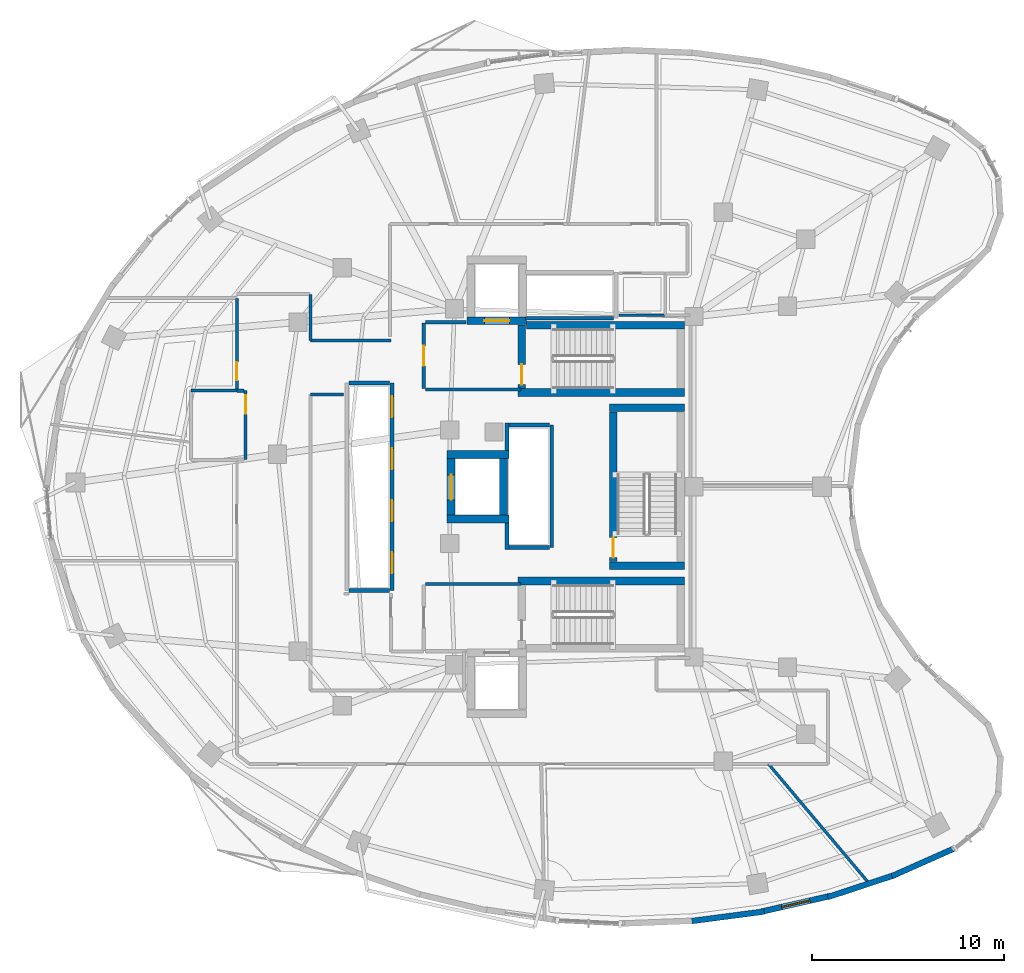
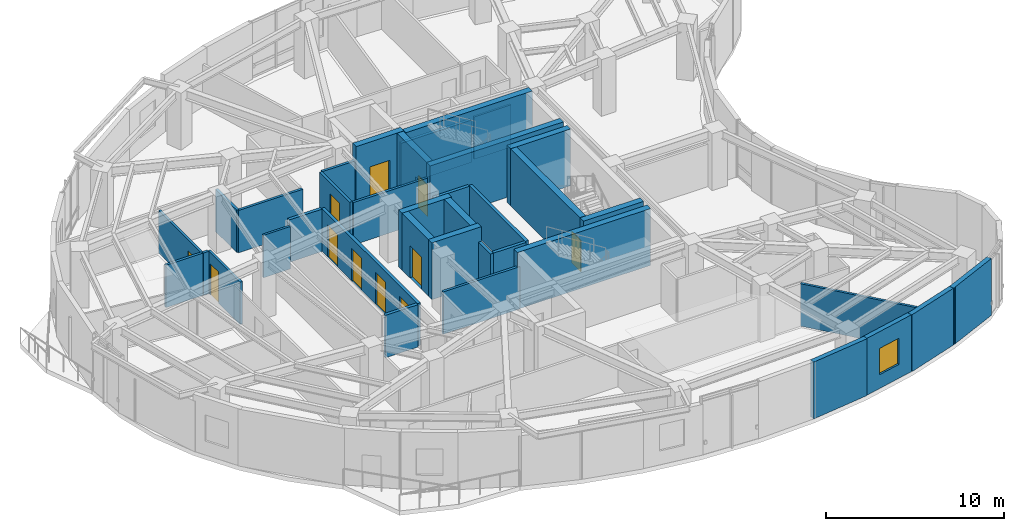
# One storey, part 9 of 15: 38 walls, 11 doors, 1 window, 12 openings.
"""IFC4 building model written with IfcOpenShell, lengths in metres."""

import ifcopenshell
import ifcopenshell.guid

model = None  # the IFC model being written
_history = None  # IfcOwnerHistory: only IFC2X3 demands one
_inside = {}  # id of a spatial element -> (the spatial element, [elements in it])
_under = {}  # id of a project, library or spatial element -> (it, [spatial elements below it])
_declared = {}  # id of a project -> (the project, [libraries it declares])
_typed = {}  # id of a type object -> (the type object, [elements of that type])
_made_of = {}  # id of a material, layer set ... -> (it, [elements and type objects made of it])


def new_model(schema):
    """Start an empty IFC model of exactly this schema.

    Asked for "IFC4X3", IfcOpenShell would pick the latest addendum, in which some entities
    have other attributes; the version numbers below select the first issue.
    IFC2X3 requires an IfcOwnerHistory on every rooted entity: one is made here for all.
    """
    global model, _history
    if schema == "IFC4X3":
        model = ifcopenshell.file(schema_version=(4, 3, 0, 0))
    else:
        model = ifcopenshell.file(schema=schema)
    _inside.clear()
    _under.clear()
    _declared.clear()
    _typed.clear()
    _made_of.clear()
    _history = None
    if model.schema == "IFC2X3":
        org = make("IfcOrganization", Name="unknown")
        user = make(
            "IfcPersonAndOrganization",
            ThePerson=make("IfcPerson", FamilyName="unknown"),
            TheOrganization=org,
        )
        app = make(
            "IfcApplication",
            ApplicationDeveloper=org,
            Version="unknown",
            ApplicationFullName="unknown",
            ApplicationIdentifier="unknown",
        )
        _history = make(
            "IfcOwnerHistory",
            OwningUser=user,
            OwningApplication=app,
            ChangeAction="ADDED",
            CreationDate=0,
        )
    return model


def make(cls, **values):
    """One entity of the class cls with the attributes given. An attribute that is None is left unset."""
    return model.create_entity(
        cls, **{name: value for name, value in values.items() if value is not None}
    )


def rooted(cls, **values):
    """An entity with a GlobalId (a new one), such as an element, a storey or a relation."""
    return make(cls, GlobalId=ifcopenshell.guid.new(), OwnerHistory=_history, **values)


def si_unit(unit_type, name, prefix=None):
    """IfcSIUnit, for example si_unit("LENGTHUNIT", "METRE", prefix="MILLI")."""
    return make("IfcSIUnit", UnitType=unit_type, Prefix=prefix, Name=name)


def assignment(units):
    """IfcUnitAssignment: the units of a project."""
    return None if units is None else make("IfcUnitAssignment", Units=units)


def point(xyz):
    """IfcCartesianPoint."""
    return None if xyz is None else make("IfcCartesianPoint", Coordinates=xyz)


def direction(xyz):
    """IfcDirection."""
    return None if xyz is None else make("IfcDirection", DirectionRatios=xyz)


def frame(location, z_axis=None, x_axis=None):
    """IfcAxis2Placement3D, a coordinate frame: its origin and axes. An axis left out is left unset."""
    return make(
        "IfcAxis2Placement3D",
        Location=point(location),
        Axis=direction(z_axis),
        RefDirection=direction(x_axis),
    )


def frame_2d(location, x_axis=None):
    """IfcAxis2Placement2D, a coordinate frame in the plane: its origin and x axis."""
    return make(
        "IfcAxis2Placement2D", Location=point(location), RefDirection=direction(x_axis)
    )


def origin():
    """The frame at (0, 0, 0) with its axes left unset."""
    return frame((0.0, 0.0, 0.0))


def place(relative_to, where):
    """IfcLocalPlacement: puts the frame where relative to a parent placement (None: the world)."""
    return make(
        "IfcLocalPlacement", PlacementRelTo=relative_to, RelativePlacement=where
    )


def context(
    kind, dimensions, precision=None, world=None, true_north=None, identifier=None
):
    """IfcGeometricRepresentationContext, for example the 3D "Model" context."""
    return make(
        "IfcGeometricRepresentationContext",
        ContextIdentifier=identifier,
        ContextType=kind,
        CoordinateSpaceDimension=dimensions,
        Precision=precision,
        WorldCoordinateSystem=world,
        TrueNorth=true_north,
    )


def subcontext(parent, identifier, kind, view, scale=None):
    """IfcGeometricRepresentationSubContext, for example "Body" below "Model"."""
    return make(
        "IfcGeometricRepresentationSubContext",
        ContextIdentifier=identifier,
        ContextType=kind,
        ParentContext=parent,
        TargetScale=scale,
        TargetView=view,
    )


def project(units=None, contexts=None):
    """IfcProject with its units and contexts."""
    return rooted(
        "IfcProject",
        Name="project",
        RepresentationContexts=contexts,
        UnitsInContext=assignment(units),
    )


def spatial(cls, under=None, at=None, **own):
    """A site, building, storey or space (cls), placed at a placement, below another one or the project."""
    s = rooted(cls, ObjectPlacement=at, **own)
    if under is not None:
        _under.setdefault(under.id(), (under, []))[1].append(s)
    return s


def profile(cls, at=None, kind="AREA", **sizes):
    """A parametric profile (cls). Its sizes go by their IFC names, for example OverallWidth=200.0."""
    return make(cls, ProfileType=kind, Position=at, **sizes)


def rectangle(**sizes):
    """IfcRectangleProfileDef."""
    return profile("IfcRectangleProfileDef", **sizes)


def extrude(swept, where, along, depth):
    """IfcExtrudedAreaSolid: the profile swept, set in the frame where, extruded along a direction by depth."""
    return make(
        "IfcExtrudedAreaSolid",
        SweptArea=swept,
        Position=where,
        ExtrudedDirection=direction(along),
        Depth=depth,
    )


def shape(context_of_items, identifier, shape_type, items):
    """IfcShapeRepresentation: the items that make up one representation, for example the "Body"."""
    return make(
        "IfcShapeRepresentation",
        ContextOfItems=context_of_items,
        RepresentationIdentifier=identifier,
        RepresentationType=shape_type,
        Items=items,
    )


def material(Name=None, Category=None):
    """IfcMaterial."""
    return make("IfcMaterial", Name=Name, Category=Category)


def layer(
    of_material, thickness, ventilated=None, Name=None, Category=None, Priority=None
):
    """IfcMaterialLayer: one layer of a wall or slab, of a material (None: an air gap)."""
    return make(
        "IfcMaterialLayer",
        Material=of_material,
        LayerThickness=thickness,
        IsVentilated=ventilated,
        Name=Name,
        Category=Category,
        Priority=Priority,
    )


def layer_set(layers, Name=None):
    """IfcMaterialLayerSet."""
    return make("IfcMaterialLayerSet", MaterialLayers=layers, LayerSetName=Name)


def made_of(thing, what):
    """Note that an element or type object is made of a material, layer set ...; save() writes the relation."""
    if what is not None:
        _made_of.setdefault(what.id(), (what, []))[1].append(thing)
    return thing


def type_object(cls, material=None, **own):
    """A type object (cls), such as IfcWallType, which elements share."""
    return made_of(rooted(cls, **own), material)


def element(
    cls,
    number,
    at=None,
    inside=None,
    cuts=None,
    type_object=None,
    material=None,
    context=None,
    identifier="Body",
    shape_type=None,
    held_by="IfcProductDefinitionShape",
    body=None,
    shapes=None,
    **own,
):
    """One element of the class cls, such as IfcWall. Its Tag is "e" and its number.

    at: its placement. inside: the storey or other place that contains it. cuts: it is an
    opening in that element (IfcRelVoidsElement). A single representation is given by context,
    identifier, shape_type and body (its items); several are given by shapes. held_by: the class
    of the entity that holds the representations. save() writes the other relations.
    """
    e = rooted(cls, Tag="e%d" % number, ObjectPlacement=at, **own)
    if body is not None:
        shapes = [shape(context, identifier, shape_type, body)]
    if shapes is not None:
        e.Representation = make(held_by, Representations=shapes)
    if inside is not None:
        _inside.setdefault(inside.id(), (inside, []))[1].append(e)
    if cuts is not None:
        rooted(
            "IfcRelVoidsElement", RelatingBuildingElement=cuts, RelatedOpeningElement=e
        )
    if type_object is not None:
        _typed.setdefault(type_object.id(), (type_object, []))[1].append(e)
    return made_of(e, material)


def fill(opening, filler):
    """IfcRelFillsElement: the door or window that sits in an opening."""
    return rooted(
        "IfcRelFillsElement",
        RelatingOpeningElement=opening,
        RelatedBuildingElement=filler,
    )


def aggregate(whole, parts):
    """IfcRelAggregates: a whole, such as a stair, and the parts it consists of."""
    return rooted("IfcRelAggregates", RelatingObject=whole, RelatedObjects=parts)


def save(model, path):
    """Write the relations noted so far, then the file.

    IfcRelAggregates (storeys below a building ...), IfcRelContainedInSpatialStructure (elements
    in a storey), IfcRelDefinesByType, IfcRelAssociatesMaterial and IfcRelDeclares: one each for
    every whole, place, type object, material and project.
    """
    for whole, parts in _under.values():
        aggregate(whole, parts)
    for where, things in _inside.values():
        rooted(
            "IfcRelContainedInSpatialStructure",
            RelatedElements=things,
            RelatingStructure=where,
        )
    for kind, things in _typed.values():
        rooted("IfcRelDefinesByType", RelatedObjects=things, RelatingType=kind)
    for what, things in _made_of.values():
        rooted("IfcRelAssociatesMaterial", RelatedObjects=things, RelatingMaterial=what)
    for by, libraries in _declared.values():
        rooted("IfcRelDeclares", RelatingContext=by, RelatedDefinitions=libraries)
    model.write(path)


model = new_model("IFC4")

# Units and contexts
model_context = context("Model", 3, precision=1e-05, world=origin(), true_north=direction((0.0, 1.0)))
body_context = subcontext(model_context, "Body", "Model", "MODEL_VIEW")
ifc_project = project(units=[si_unit("LENGTHUNIT", "METRE"), si_unit("AREAUNIT", "SQUARE_METRE"), si_unit("VOLUMEUNIT", "CUBIC_METRE"), si_unit("PLANEANGLEUNIT", "RADIAN"), si_unit("MASSUNIT", "GRAM", prefix="KILO")], contexts=[model_context])

# Site, building, storey
site_placement = place(None, origin())
site = spatial("IfcSite", under=ifc_project, at=site_placement, CompositionType="ELEMENT")
building_placement = place(site_placement, origin())
building = spatial("IfcBuilding", under=site, at=building_placement, Name="Korentha Bioscience Tower", CompositionType="ELEMENT")
storey_placement = place(building_placement, frame((0.0, 0.0, 222.60009765625)))
storey = spatial("IfcBuildingStorey", under=building, at=storey_placement, Name="L51", CompositionType="ELEMENT", Elevation=222.60009765625)

# Wall, opening, door
ifc_material_1 = material(Name="Double-Stud Acoustic Gypsum", Category="gypsum")
ifc_layer_1 = layer(ifc_material_1, 0.14990234375, Name="Double-Stud Acoustic Gypsum")
ifc_layer_set_1 = layer_set([ifc_layer_1], Name="Double-Stud Acoustic Gypsum (IW-L150)")
wall_type_1 = type_object("IfcWallType", Name="Acoustic Laboratory Partition Wall 150", PredefinedType="PARTITIONING", material=ifc_layer_set_1)
wall_1_placement = place(storey_placement, frame((13.7900390625, 36.7919921875, 0.0), z_axis=(0.0, 0.0, 1.0), x_axis=(0.0, -1.0, 0.0)))
wall_1 = element("IfcWall", 1, at=wall_1_placement, inside=storey, type_object=wall_type_1, Name="L51 Neurobiology Electrophysiology Lab 11 Entrance Wall", PredefinedType="PARTITIONING", context=body_context, shape_type="SweptSolid", body=[
    extrude(rectangle(XDim=4.781982421875, YDim=0.14990234375, at=frame_2d((2.39111328125, 0.0))), origin(), (0.0, 0.0, 1.0), 2.909912109375),
])
opening_1_placement = place(wall_1_placement, frame((3.312255859375, 0.0, 0.0)))
opening_1 = element("IfcOpeningElement", 2, at=opening_1_placement, cuts=wall_1, Name="Opening ID-10L", PredefinedType="OPENING", context=body_context, shape_type="SweptSolid", body=[
    extrude(rectangle(XDim=0.949951171875, YDim=2.14990234375, at=frame_2d((0.47509765625, 1.074951171875))), frame((0.0, 0.08984375, 0.0), z_axis=(0.0, -1.0, 0.0), x_axis=(1.0, 0.0, 0.0)), (0.0, 0.0, 1.0), 0.1796875),
])
ifc_material_2 = material(Name="Phenolic Laminate Timber Core", Category="wood")
door_type_1 = type_object("IfcDoorType", Name="Laboratory Single Leaf Door 950x2150 Left", OperationType="SINGLE_SWING_LEFT", PredefinedType="DOOR", material=ifc_material_2)
door_1_placement = place(opening_1_placement, origin())
door_1 = element("IfcDoor", 3, at=door_1_placement, inside=storey, type_object=door_type_1, Name="L51 Neurobiology Electrophysiology Lab 11 Door", OperationType="SINGLE_SWING_LEFT", OverallHeight=2.14990234375, OverallWidth=0.949951171875, PredefinedType="DOOR", context=body_context, shape_type="SweptSolid", body=[
    extrude(rectangle(XDim=0.949951171875, YDim=2.14990234375, at=frame_2d((0.47509765625, 1.074951171875))), frame((0.0, 0.02490234375, 0.0), z_axis=(0.0, -1.0, 0.0), x_axis=(1.0, 0.0, 0.0)), (0.0, 0.0, 1.0), 0.050048828125),
])
fill(opening_1, door_1)

# Walls
wall_2_placement = place(storey_placement, frame((17.610107421875, 31.7900390625, 0.0), z_axis=(0.0, 0.0, 1.0), x_axis=(1.0, 0.0, 0.0)))
element("IfcWall", 4, at=wall_2_placement, inside=storey, type_object=wall_type_1, Name="L51 Interior Partition 028", PredefinedType="PARTITIONING", context=body_context, shape_type="SweptSolid", body=[
    extrude(rectangle(XDim=1.72998046875, YDim=0.14990234375, at=frame_2d((0.864990234375, 0.0))), origin(), (0.0, 0.0, 1.0), 2.909912109375),
])
wall_3_placement = place(storey_placement, frame((41.41796875, 12.590087890625, 0.0), z_axis=(0.0, 0.0, 1.0), x_axis=(0.644315695233, -0.764759625554, 0.0)))
element("IfcWall", 5, at=wall_3_placement, inside=storey, type_object=wall_type_1, Name="L51 Interior Partition 033", PredefinedType="PARTITIONING", context=body_context, shape_type="SweptSolid", body=[
    extrude(rectangle(XDim=8.229736328125, YDim=0.14990234375, at=frame_2d((4.11474609375, 0.0))), origin(), (0.0, 0.0, 1.0), 2.909912109375),
])

# Wall, opening, door
ifc_material_3 = material(Name="Gypsum-Clad Steel Stud", Category="steel")
ifc_layer_2 = layer(ifc_material_3, 0.159912109375, Name="Gypsum-Clad Steel Stud")
ifc_layer_set_2 = layer_set([ifc_layer_2], Name="Gypsum-Clad Steel Stud (IW-C160)")
wall_type_2 = type_object("IfcWallType", Name="Fire-Rated Corridor Partition Wall 160", PredefinedType="PARTITIONING", material=ifc_layer_set_2)
wall_4_placement = place(storey_placement, frame((23.5, 32.10009765625, 0.0), z_axis=(0.0, 0.0, 1.0), x_axis=(0.0, 1.0, 0.0)))
wall_4 = element("IfcWall", 6, at=wall_4_placement, inside=storey, type_object=wall_type_2, Name="L51 FFLN-CW Rated Enclosure Wall", PredefinedType="PARTITIONING", context=body_context, shape_type="SweptSolid", body=[
    extrude(rectangle(XDim=3.39990234375, YDim=0.159912109375, at=frame_2d((1.699951171875, 0.0))), origin(), (0.0, 0.0, 1.0), 2.909912109375),
])
opening_2_placement = place(wall_4_placement, frame((1.175048828125, 0.0, 0.0)))
opening_2 = element("IfcOpeningElement", 7, at=opening_2_placement, cuts=wall_4, Name="Opening FD-90L", PredefinedType="OPENING", context=body_context, shape_type="SweptSolid", body=[
    extrude(rectangle(XDim=1.050048828125, YDim=2.14990234375, at=frame_2d((0.52490234375, 1.074951171875))), frame((0.0, 0.0947265625, 0.0), z_axis=(0.0, -1.0, 0.0), x_axis=(1.0, 0.0, 0.0)), (0.0, 0.0, 1.0), 0.189697265625),
])
ifc_material_4 = material(Name="Powder-Coated Fire-Rated Steel", Category="steel")
door_type_2 = type_object("IfcDoorType", Name="Stairwell Fire Exit Door 1050x2150 Left", OperationType="SINGLE_SWING_LEFT", PredefinedType="DOOR", material=ifc_material_4)
door_2_placement = place(opening_2_placement, origin())
door_2 = element("IfcDoor", 8, at=door_2_placement, inside=storey, type_object=door_type_2, Name="L51 North Firefighting Lobby Door", OperationType="SINGLE_SWING_LEFT", OverallHeight=2.14990234375, OverallWidth=1.050048828125, PredefinedType="DOOR", context=body_context, shape_type="SweptSolid", body=[
    extrude(rectangle(XDim=1.050048828125, YDim=2.14990234375, at=frame_2d((0.52490234375, 1.074951171875))), frame((0.0, 0.02490234375, 0.0), z_axis=(0.0, -1.0, 0.0), x_axis=(1.0, 0.0, 0.0)), (0.0, 0.0, 1.0), 0.050048828125),
])
fill(opening_2, door_2)

# Walls
wall_5_placement = place(storey_placement, frame((23.580078125, 32.050048828125, 0.0), z_axis=(0.0, 0.0, 1.0), x_axis=(1.0, 0.0, 0.0)))
element("IfcWall", 9, at=wall_5_placement, inside=storey, type_object=wall_type_2, Name="L51 Firefighting Lobby Return Wall FFLN-S", PredefinedType="PARTITIONING", context=body_context, shape_type="SweptSolid", body=[
    extrude(rectangle(XDim=4.969970703125, YDim=0.159912109375, at=frame_2d((2.48486328125, 0.0))), origin(), (0.0, 0.0, 1.0), 2.909912109375),
])
wall_6_placement = place(storey_placement, frame((23.580078125, 35.550048828125, 0.0), z_axis=(0.0, 0.0, 1.0), x_axis=(1.0, 0.0, 0.0)))
element("IfcWall", 10, at=wall_6_placement, inside=storey, type_object=wall_type_2, Name="L51 Firefighting Lobby Return Wall FFLN-N", PredefinedType="PARTITIONING", context=body_context, shape_type="SweptSolid", body=[
    extrude(rectangle(XDim=2.119873046875, YDim=0.159912109375, at=frame_2d((1.06005859375, 0.0))), origin(), (0.0, 0.0, 1.0), 2.909912109375),
])
wall_7_placement = place(storey_placement, frame((23.580078125, 21.949951171875, 0.0), z_axis=(0.0, 0.0, 1.0), x_axis=(1.0, 0.0, 0.0)))
element("IfcWall", 11, at=wall_7_placement, inside=storey, type_object=wall_type_2, Name="L51 Firefighting Lobby Return Wall FFLS-N", PredefinedType="PARTITIONING", context=body_context, shape_type="SweptSolid", body=[
    extrude(rectangle(XDim=4.969970703125, YDim=0.159912109375, at=frame_2d((2.48486328125, 0.0))), origin(), (0.0, 0.0, 1.0), 2.909912109375),
])

# Wall, opening, door
wall_8_placement = place(storey_placement, frame((14.239990234375, 31.989990234375, 0.0), z_axis=(0.0, 0.0, 1.0), x_axis=(0.0, -1.0, 0.0)))
wall_8 = element("IfcWall", 12, at=wall_8_placement, inside=storey, type_object=wall_type_2, Name="L51 Reclaimed Bank-1 North Data Closet Entrance Wall", PredefinedType="PARTITIONING", context=body_context, shape_type="SweptSolid", body=[
    extrude(rectangle(XDim=3.580078125, YDim=0.159912109375, at=frame_2d((1.7900390625, 0.0))), origin(), (0.0, 0.0, 1.0), 2.909912109375),
])
opening_3_placement = place(wall_8_placement, frame((0.239990234375, 0.0, 0.0)))
opening_3 = element("IfcOpeningElement", 13, at=opening_3_placement, cuts=wall_8, Name="Opening ID-10R", PredefinedType="OPENING", context=body_context, shape_type="SweptSolid", body=[
    extrude(rectangle(XDim=0.949951171875, YDim=2.14990234375, at=frame_2d((0.47509765625, 1.074951171875))), frame((0.0, 0.0947265625, 0.0), z_axis=(0.0, -1.0, 0.0), x_axis=(1.0, 0.0, 0.0)), (0.0, 0.0, 1.0), 0.189697265625),
])
door_type_3 = type_object("IfcDoorType", Name="Laboratory Single Leaf Door 950x2150 Right", OperationType="SINGLE_SWING_RIGHT", PredefinedType="DOOR", material=ifc_material_2)
door_3_placement = place(opening_3_placement, origin())
door_3 = element("IfcDoor", 14, at=door_3_placement, inside=storey, type_object=door_type_3, Name="L51 Reclaimed Bank-1 North Data Closet Door", OperationType="SINGLE_SWING_RIGHT", OverallHeight=2.14990234375, OverallWidth=0.949951171875, PredefinedType="DOOR", context=body_context, shape_type="SweptSolid", body=[
    extrude(rectangle(XDim=0.949951171875, YDim=2.14990234375, at=frame_2d((0.47509765625, 1.074951171875))), frame((0.0, 0.02490234375, 0.0), z_axis=(0.0, -1.0, 0.0), x_axis=(1.0, 0.0, 0.0)), (0.0, 0.0, 1.0), 0.050048828125),
])
fill(opening_3, door_3)

# Walls
wall_9_placement = place(storey_placement, frame((13.800048828125, 31.989990234375, 0.0), z_axis=(0.0, 0.0, 1.0), x_axis=(1.0, 0.0, 0.0)))
element("IfcWall", 15, at=wall_9_placement, inside=storey, type_object=wall_type_2, Name="L51 Interior Partition 016", PredefinedType="PARTITIONING", context=body_context, shape_type="SweptSolid", body=[
    extrude(rectangle(XDim=0.35693359375, YDim=0.159912109375, at=frame_2d((0.178466796875, 0.0))), origin(), (0.0, 0.0, 1.0), 2.909912109375),
])
wall_10_placement = place(storey_placement, frame((11.39990234375, 32.0, 0.0), z_axis=(0.0, 0.0, 1.0), x_axis=(1.0, 0.0, 0.0)))
element("IfcWall", 16, at=wall_10_placement, inside=storey, type_object=wall_type_2, Name="L51 Interior Partition 020", PredefinedType="PARTITIONING", context=body_context, shape_type="SweptSolid", body=[
    extrude(rectangle(XDim=2.39013671875, YDim=0.159912109375, at=frame_2d((1.195068359375, 0.0))), origin(), (0.0, 0.0, 1.0), 2.909912109375),
])
wall_11_placement = place(storey_placement, frame((21.7900390625, 34.610107421875, 0.0), z_axis=(0.0, 0.0, 1.0), x_axis=(-1.0, 0.0, 0.0)))
element("IfcWall", 17, at=wall_11_placement, inside=storey, type_object=wall_type_2, Name="L51 Interior Partition 051", PredefinedType="PARTITIONING", context=body_context, shape_type="SweptSolid", body=[
    extrude(rectangle(XDim=4.179931640625, YDim=0.159912109375, at=frame_2d((2.08984375, 0.0))), origin(), (0.0, 0.0, 1.0), 2.909912109375),
])
wall_12_placement = place(storey_placement, frame((17.610107421875, 34.610107421875, 0.0), z_axis=(0.0, 0.0, 1.0), x_axis=(0.0, 1.0, 0.0)))
element("IfcWall", 18, at=wall_12_placement, inside=storey, type_object=wall_type_2, Name="L51 Interior Partition 052", PredefinedType="PARTITIONING", context=body_context, shape_type="SweptSolid", body=[
    extrude(rectangle(XDim=2.389892578125, YDim=0.159912109375, at=frame_2d((1.19482421875, 0.0))), origin(), (0.0, 0.0, 1.0), 2.909912109375),
])

# Wall, opening, window
ifc_material_5 = material(Name="Honed Limestone Precast Concrete C40", Category="masonry")
ifc_layer_3 = layer(ifc_material_5, 0.300048828125, Name="Honed Limestone Precast Concrete C40")
ifc_layer_set_3 = layer_set([ifc_layer_3], Name="Honed Limestone Precast Concrete C40 (EW-ST300)")
wall_type_3 = type_object("IfcWallType", Name="Honed Limestone Cavity Spandrel Wall 300", PredefinedType="STANDARD", material=ifc_layer_set_3)
wall_13_placement = place(storey_placement, frame((41.03564453125, 4.913818359375, 0.0), z_axis=(0.0, 0.0, 1.0), x_axis=(0.975237678872, 0.221159376263, 0.0)))
wall_13 = element("IfcWall", 19, at=wall_13_placement, inside=storey, type_object=wall_type_3, Name="L51 Honed Limestone Spandrel Wall 34", PredefinedType="STANDARD", context=body_context, shape_type="SweptSolid", body=[
    extrude(rectangle(XDim=3.70263671875, YDim=0.300048828125, at=frame_2d((1.851318359375, 0.0))), origin(), (0.0, 0.0, 1.0), 3.89990234375),
])
opening_4_placement = place(wall_13_placement, frame((1.101318359375, 0.0, 0.949951171875)))
opening_4 = element("IfcOpeningElement", 20, at=opening_4_placement, cuts=wall_13, Name="Opening WN-02", PredefinedType="OPENING", context=body_context, shape_type="SweptSolid", body=[
    extrude(rectangle(XDim=1.5, YDim=1.800048828125, at=frame_2d((0.75, 0.89990234375))), frame((0.0, 0.1650390625, 0.0), z_axis=(0.0, -1.0, 0.0), x_axis=(1.0, 0.0, 0.0)), (0.0, 0.0, 1.0), 0.329833984375),
])
ifc_material_6 = material(Name="Thermally Broken Aluminium Triple Glazing", Category="aluminium")
window_type = type_object("IfcWindowType", Name="Acoustic Operable Office Window 1500x1800", PartitioningType="DOUBLE_PANEL_VERTICAL", PredefinedType="WINDOW", material=ifc_material_6)
window_placement = place(opening_4_placement, origin())
window = element("IfcWindow", 21, at=window_placement, inside=storey, type_object=window_type, Name="L51 Facade Window 34", OverallHeight=1.800048828125, OverallWidth=1.5, PartitioningType="DOUBLE_PANEL_VERTICAL", PredefinedType="WINDOW", context=body_context, shape_type="SweptSolid", body=[
    extrude(rectangle(XDim=1.5, YDim=1.800048828125, at=frame_2d((0.75, 0.89990234375))), frame((0.0, 0.030029296875, 0.0), z_axis=(0.0, -1.0, 0.0), x_axis=(1.0, 0.0, 0.0)), (0.0, 0.0, 1.0), 0.06005859375),
])
fill(opening_4, window)

# Walls
wall_14_placement = place(storey_placement, frame((37.43701171875, 4.427978515625, 0.0), z_axis=(0.0, 0.0, 1.0), x_axis=(0.991512801574, 0.130009093201, 0.0)))
element("IfcWall", 22, at=wall_14_placement, inside=storey, type_object=wall_type_3, Name="L51 Limestone Perimeter Closure Wall 33", PredefinedType="STANDARD", context=body_context, shape_type="SweptSolid", body=[
    extrude(rectangle(XDim=3.785888671875, YDim=0.300048828125, at=frame_2d((1.89306640625, 0.0))), origin(), (0.0, 0.0, 1.0), 3.89990234375),
])
wall_15_placement = place(storey_placement, frame((44.503662109375, 5.67138671875, 0.0), z_axis=(0.0, 0.0, 1.0), x_axis=(0.94972655205, 0.313080622734, 0.0)))
element("IfcWall", 23, at=wall_15_placement, inside=storey, type_object=wall_type_3, Name="L51 Limestone Perimeter Closure Wall 35", PredefinedType="STANDARD", context=body_context, shape_type="SweptSolid", body=[
    extrude(rectangle(XDim=3.67919921875, YDim=0.300048828125, at=frame_2d((1.839599609375, 0.0))), origin(), (0.0, 0.0, 1.0), 3.89990234375),
])
wall_16_placement = place(storey_placement, frame((47.835693359375, 6.7607421875, 0.0), z_axis=(0.0, 0.0, 1.0), x_axis=(0.913940198441, 0.405848880341, 0.0)))
element("IfcWall", 24, at=wall_16_placement, inside=storey, type_object=wall_type_3, Name="L51 Limestone Perimeter Closure Wall 36", PredefinedType="STANDARD", context=body_context, shape_type="SweptSolid", body=[
    extrude(rectangle(XDim=3.598388671875, YDim=0.300048828125, at=frame_2d((1.79931640625, 0.0))), origin(), (0.0, 0.0, 1.0), 3.89990234375),
])

# Wall, openings, doors
ifc_material_7 = material(Name="Autoclaved Aerated Concrete Block C25", Category="concrete")
ifc_layer_4 = layer(ifc_material_7, 0.199951171875, Name="Autoclaved Aerated Concrete Block C25")
ifc_layer_set_4 = layer_set([ifc_layer_4], Name="Autoclaved Aerated Concrete Block C25 (IW-S200)")
wall_type_4 = type_object("IfcWallType", Name="Lift and Riser Shaft Enclosure Wall 200", PredefinedType="PARTITIONING", material=ifc_layer_set_4)
wall_17_placement = place(storey_placement, frame((21.85009765625, 21.60009765625, 0.0), z_axis=(0.0, 0.0, 1.0), x_axis=(0.0, 1.0, 0.0)))
wall_17 = element("IfcWall", 25, at=wall_17_placement, inside=storey, type_object=wall_type_4, Name="L51 Lift Bank MID Shaft Wall +X", PredefinedType="PARTITIONING", context=body_context, shape_type="SweptSolid", body=[
    extrude(rectangle(XDim=10.7998046875, YDim=0.199951171875, at=frame_2d((5.39990234375, 0.0))), origin(), (0.0, 0.0, 1.0), 2.909912109375),
])
opening_5_placement = place(wall_17_placement, frame((0.89990234375, 0.0, 0.0)))
opening_5 = element("IfcOpeningElement", 26, at=opening_5_placement, cuts=wall_17, Name="Opening LD-11", PredefinedType="OPENING", context=body_context, shape_type="SweptSolid", body=[
    extrude(rectangle(XDim=1.10009765625, YDim=2.199951171875, at=frame_2d((0.550048828125, 1.10009765625))), frame((0.0, 0.11474609375, 0.0), z_axis=(0.0, -1.0, 0.0), x_axis=(1.0, 0.0, 0.0)), (0.0, 0.0, 1.0), 0.229736328125),
])
opening_6_placement = place(wall_17_placement, frame((3.60009765625, 0.0, 0.0)))
opening_6 = element("IfcOpeningElement", 27, at=opening_6_placement, cuts=wall_17, Name="Opening LD-11", PredefinedType="OPENING", context=body_context, shape_type="SweptSolid", body=[
    extrude(rectangle(XDim=1.10009765625, YDim=2.199951171875, at=frame_2d((0.550048828125, 1.10009765625))), frame((0.0, 0.11474609375, 0.0), z_axis=(0.0, -1.0, 0.0), x_axis=(1.0, 0.0, 0.0)), (0.0, 0.0, 1.0), 0.229736328125),
])
opening_7_placement = place(wall_17_placement, frame((6.300048828125, 0.0, 0.0)))
opening_7 = element("IfcOpeningElement", 28, at=opening_7_placement, cuts=wall_17, Name="Opening LD-11", PredefinedType="OPENING", context=body_context, shape_type="SweptSolid", body=[
    extrude(rectangle(XDim=1.10009765625, YDim=2.199951171875, at=frame_2d((0.550048828125, 1.10009765625))), frame((0.0, 0.11474609375, 0.0), z_axis=(0.0, -1.0, 0.0), x_axis=(1.0, 0.0, 0.0)), (0.0, 0.0, 1.0), 0.229736328125),
])
opening_8_placement = place(wall_17_placement, frame((9.0, 0.0, 0.0)))
opening_8 = element("IfcOpeningElement", 29, at=opening_8_placement, cuts=wall_17, Name="Opening LD-11", PredefinedType="OPENING", context=body_context, shape_type="SweptSolid", body=[
    extrude(rectangle(XDim=1.10009765625, YDim=2.199951171875, at=frame_2d((0.550048828125, 1.10009765625))), frame((0.0, 0.11474609375, 0.0), z_axis=(0.0, -1.0, 0.0), x_axis=(1.0, 0.0, 0.0)), (0.0, 0.0, 1.0), 0.229736328125),
])
ifc_material_8 = material(Name="Brushed Stainless Steel 304", Category="steel")
door_type_4 = type_object("IfcDoorType", Name="Passenger Lift Sliding Landing Door 1100x2200", OperationType="DOUBLE_DOOR_SLIDING", PredefinedType="DOOR", material=ifc_material_8)
door_4_placement = place(opening_5_placement, origin())
door_4 = element("IfcDoor", 30, at=door_4_placement, inside=storey, type_object=door_type_4, Name="L51 PL-M1 Sliding Lift Landing Door", OperationType="DOUBLE_DOOR_SLIDING", OverallHeight=2.199951171875, OverallWidth=1.10009765625, PredefinedType="DOOR", context=body_context, shape_type="SweptSolid", body=[
    extrude(rectangle(XDim=1.10009765625, YDim=2.199951171875, at=frame_2d((0.550048828125, 1.10009765625))), frame((0.0, 0.02490234375, 0.0), z_axis=(0.0, -1.0, 0.0), x_axis=(1.0, 0.0, 0.0)), (0.0, 0.0, 1.0), 0.050048828125),
])
fill(opening_5, door_4)
door_5_placement = place(opening_6_placement, origin())
door_5 = element("IfcDoor", 31, at=door_5_placement, inside=storey, type_object=door_type_4, Name="L51 PL-M2 Sliding Lift Landing Door", OperationType="DOUBLE_DOOR_SLIDING", OverallHeight=2.199951171875, OverallWidth=1.10009765625, PredefinedType="DOOR", context=body_context, shape_type="SweptSolid", body=[
    extrude(rectangle(XDim=1.10009765625, YDim=2.199951171875, at=frame_2d((0.550048828125, 1.10009765625))), frame((0.0, 0.02490234375, 0.0), z_axis=(0.0, -1.0, 0.0), x_axis=(1.0, 0.0, 0.0)), (0.0, 0.0, 1.0), 0.050048828125),
])
fill(opening_6, door_5)
door_6_placement = place(opening_7_placement, origin())
door_6 = element("IfcDoor", 32, at=door_6_placement, inside=storey, type_object=door_type_4, Name="L51 PL-M3 Sliding Lift Landing Door", OperationType="DOUBLE_DOOR_SLIDING", OverallHeight=2.199951171875, OverallWidth=1.10009765625, PredefinedType="DOOR", context=body_context, shape_type="SweptSolid", body=[
    extrude(rectangle(XDim=1.10009765625, YDim=2.199951171875, at=frame_2d((0.550048828125, 1.10009765625))), frame((0.0, 0.02490234375, 0.0), z_axis=(0.0, -1.0, 0.0), x_axis=(1.0, 0.0, 0.0)), (0.0, 0.0, 1.0), 0.050048828125),
])
fill(opening_7, door_6)
door_7_placement = place(opening_8_placement, origin())
door_7 = element("IfcDoor", 33, at=door_7_placement, inside=storey, type_object=door_type_4, Name="L51 PL-M4 Sliding Lift Landing Door", OperationType="DOUBLE_DOOR_SLIDING", OverallHeight=2.199951171875, OverallWidth=1.10009765625, PredefinedType="DOOR", context=body_context, shape_type="SweptSolid", body=[
    extrude(rectangle(XDim=1.10009765625, YDim=2.199951171875, at=frame_2d((0.550048828125, 1.10009765625))), frame((0.0, 0.02490234375, 0.0), z_axis=(0.0, -1.0, 0.0), x_axis=(1.0, 0.0, 0.0)), (0.0, 0.0, 1.0), 0.050048828125),
])
fill(opening_8, door_7)

# Walls
for number, where, z_axis, x_axis, name in (
    (34, (19.6201171875, 21.60009765625, 0.0), (0.0, 0.0, 1.0), (1.0, 0.0, 0.0), "L51 Lift Bank MID Shaft Wall -Y"),
    (35, (19.6201171875, 32.39990234375, 0.0), (0.0, 0.0, 1.0), (1.0, 0.0, 0.0), "L51 Lift Bank MID Shaft Wall +Y"),
):
    element("IfcWall", number, at=place(storey_placement, frame(where, z_axis=z_axis, x_axis=x_axis)), inside=storey, type_object=wall_type_4, Name=name, PredefinedType="PARTITIONING", context=body_context, shape_type="SweptSolid", body=[
        extrude(rectangle(XDim=2.10986328125, YDim=0.199951171875, at=frame_2d((1.054931640625, 0.0))), origin(), (0.0, 0.0, 1.0), 2.909912109375),
    ])
wall_18_placement = place(storey_placement, frame((27.830078125, 23.75, 0.0), z_axis=(0.0, 0.0, 1.0), x_axis=(0.0, 1.0, 0.0)))
element("IfcWall", 36, at=wall_18_placement, inside=storey, type_object=wall_type_4, Name="L51 Lift Bank HIGH Shaft Wall -XS", PredefinedType="PARTITIONING", context=body_context, shape_type="SweptSolid", body=[
    extrude(rectangle(XDim=1.365966796875, YDim=0.199951171875, at=frame_2d((0.68310546875, 0.0))), origin(), (0.0, 0.0, 1.0), 2.909912109375),
])
wall_19_placement = place(storey_placement, frame((27.830078125, 28.884033203125, 0.0), z_axis=(0.0, 0.0, 1.0), x_axis=(0.0, 1.0, 0.0)))
element("IfcWall", 37, at=wall_19_placement, inside=storey, type_object=wall_type_4, Name="L51 Lift Bank HIGH Shaft Wall -XN", PredefinedType="PARTITIONING", context=body_context, shape_type="SweptSolid", body=[
    extrude(rectangle(XDim=1.416015625, YDim=0.199951171875, at=frame_2d((0.7080078125, 0.0))), origin(), (0.0, 0.0, 1.0), 2.909912109375),
])
wall_20_placement = place(storey_placement, frame((30.14990234375, 23.85009765625, 0.0), z_axis=(0.0, 0.0, 1.0), x_axis=(0.0, 1.0, 0.0)))
element("IfcWall", 38, at=wall_20_placement, inside=storey, type_object=wall_type_4, Name="L51 Lift Bank HIGH Shaft Wall +X", PredefinedType="PARTITIONING", context=body_context, shape_type="SweptSolid", body=[
    extrude(rectangle(XDim=6.349853515625, YDim=0.199951171875, at=frame_2d((3.1748046875, 0.0))), origin(), (0.0, 0.0, 1.0), 2.909912109375),
])
for number, where, z_axis, x_axis, name in (
    (39, (27.93408203125, 23.85009765625, 0.0), (0.0, 0.0, 1.0), (1.0, 0.0, 0.0), "L51 Lift Bank HIGH Shaft Wall -Y"),
    (40, (27.93408203125, 30.199951171875, 0.0), (0.0, 0.0, 1.0), (1.0, 0.0, 0.0), "L51 Lift Bank HIGH Shaft Wall +Y"),
):
    element("IfcWall", number, at=place(storey_placement, frame(where, z_axis=z_axis, x_axis=x_axis)), inside=storey, type_object=wall_type_4, Name=name, PredefinedType="PARTITIONING", context=body_context, shape_type="SweptSolid", body=[
        extrude(rectangle(XDim=2.095947265625, YDim=0.199951171875, at=frame_2d((1.0478515625, 0.0))), origin(), (0.0, 0.0, 1.0), 2.909912109375),
    ])
wall_21_placement = place(storey_placement, frame((28.800048828125, 35.760009765625, 0.0), z_axis=(0.0, 0.0, 1.0), x_axis=(1.0, 0.0, 0.0)))
element("IfcWall", 41, at=wall_21_placement, inside=storey, type_object=wall_type_4, Name="L51 Lift Bank OBS Shaft Wall -Y", PredefinedType="PARTITIONING", context=body_context, shape_type="SweptSolid", body=[
    extrude(rectangle(XDim=4.570068359375, YDim=0.199951171875, at=frame_2d((2.28515625, 0.0))), origin(), (0.0, 0.0, 1.0), 2.909912109375),
])
ifc_material_9 = material(Name="Concrete C65", Category="concrete")
ifc_layer_5 = layer(ifc_material_9, 0.39990234375, Name="Concrete C65")
ifc_layer_set_5 = layer_set([ifc_layer_5], Name="Concrete C65 (CW-C65)")
wall_type_5 = type_object("IfcWallType", Name="Mid-Rise Core Shear Wall 400", PredefinedType="SHEAR", material=ifc_layer_set_5)
wall_22_placement = place(storey_placement, frame((28.85205078125, 35.39990234375, 0.0), z_axis=(0.0, 0.0, 1.0), x_axis=(1.0, 0.0, 0.0)))
element("IfcWall", 42, at=wall_22_placement, inside=storey, type_object=wall_type_5, Name="L51 Core Shear Wall ST1-N", PredefinedType="SHEAR", context=body_context, shape_type="SweptSolid", body=[
    extrude(rectangle(XDim=8.197998046875, YDim=0.39990234375, at=frame_2d((4.09912109375, 0.0))), origin(), (0.0, 0.0, 1.0), 3.89990234375),
])
wall_23_placement = place(storey_placement, frame((28.39990234375, 31.89990234375, 0.0), z_axis=(0.0, 0.0, 1.0), x_axis=(1.0, 0.0, 0.0)))
element("IfcWall", 43, at=wall_23_placement, inside=storey, type_object=wall_type_5, Name="L51 Core Shear Wall ST1-S", PredefinedType="SHEAR", context=body_context, shape_type="SweptSolid", body=[
    extrude(rectangle(XDim=8.650146484375, YDim=0.39990234375, at=frame_2d((4.3251953125, 0.0))), origin(), (0.0, 0.0, 1.0), 3.89990234375),
])

# Wall, opening, door
wall_24_placement = place(storey_placement, frame((28.60009765625, 32.110107421875, 0.0), z_axis=(0.0, 0.0, 1.0), x_axis=(0.0, 1.0, 0.0)))
wall_24 = element("IfcWall", 44, at=wall_24_placement, inside=storey, type_object=wall_type_5, Name="L51 Core Shear Wall ST1-W", PredefinedType="SHEAR", context=body_context, shape_type="SweptSolid", body=[
    extrude(rectangle(XDim=3.307861328125, YDim=0.39990234375, at=frame_2d((1.65380859375, 0.0))), origin(), (0.0, 0.0, 1.0), 3.89990234375),
])
opening_9_placement = place(wall_24_placement, frame((0.199951171875, 0.0, 0.0)))
opening_9 = element("IfcOpeningElement", 45, at=opening_9_placement, cuts=wall_24, Name="Opening FD-90L", PredefinedType="OPENING", context=body_context, shape_type="SweptSolid", body=[
    extrude(rectangle(XDim=1.050048828125, YDim=2.14990234375, at=frame_2d((0.52490234375, 1.074951171875))), frame((0.0, 0.21484375, 0.0), z_axis=(0.0, -1.0, 0.0), x_axis=(1.0, 0.0, 0.0)), (0.0, 0.0, 1.0), 0.4296875),
])
door_8_placement = place(opening_9_placement, origin())
door_8 = element("IfcDoor", 46, at=door_8_placement, inside=storey, type_object=door_type_2, Name="L51 ST-1 Fire Exit Stair Door", OperationType="SINGLE_SWING_LEFT", OverallHeight=2.14990234375, OverallWidth=1.050048828125, PredefinedType="DOOR", context=body_context, shape_type="SweptSolid", body=[
    extrude(rectangle(XDim=1.050048828125, YDim=2.14990234375, at=frame_2d((0.52490234375, 1.074951171875))), frame((0.0, 0.02490234375, 0.0), z_axis=(0.0, -1.0, 0.0), x_axis=(1.0, 0.0, 0.0)), (0.0, 0.0, 1.0), 0.050048828125),
])
fill(opening_9, door_8)

# Walls
wall_25_placement = place(storey_placement, frame((28.39990234375, 22.10009765625, 0.0), z_axis=(0.0, 0.0, 1.0), x_axis=(1.0, 0.0, 0.0)))
element("IfcWall", 47, at=wall_25_placement, inside=storey, type_object=wall_type_5, Name="L51 Core Shear Wall ST2-N", PredefinedType="SHEAR", context=body_context, shape_type="SweptSolid", body=[
    extrude(rectangle(XDim=8.650146484375, YDim=0.39990234375, at=frame_2d((4.3251953125, 0.0))), origin(), (0.0, 0.0, 1.0), 3.89990234375),
])
for number, where, z_axis, x_axis, name in (
    (48, (33.14990234375, 31.10009765625, 0.0), (0.0, 0.0, 1.0), (1.0, 0.0, 0.0), "L51 Core Shear Wall ST3-N"),
    (49, (33.14990234375, 22.89990234375, 0.0), (0.0, 0.0, 1.0), (1.0, 0.0, 0.0), "L51 Core Shear Wall ST3-S"),
):
    element("IfcWall", number, at=place(storey_placement, frame(where, z_axis=z_axis, x_axis=x_axis)), inside=storey, type_object=wall_type_5, Name=name, PredefinedType="SHEAR", context=body_context, shape_type="SweptSolid", body=[
        extrude(rectangle(XDim=3.900146484375, YDim=0.39990234375, at=frame_2d((1.9501953125, 0.0))), origin(), (0.0, 0.0, 1.0), 3.89990234375),
    ])

# Wall, opening, door
wall_26_placement = place(storey_placement, frame((33.35009765625, 23.110107421875, 0.0), z_axis=(0.0, 0.0, 1.0), x_axis=(0.0, 1.0, 0.0)))
wall_26 = element("IfcWall", 50, at=wall_26_placement, inside=storey, type_object=wall_type_5, Name="L51 Core Shear Wall ST3-W", PredefinedType="SHEAR", context=body_context, shape_type="SweptSolid", body=[
    extrude(rectangle(XDim=7.77978515625, YDim=0.39990234375, at=frame_2d((3.889892578125, 0.0))), origin(), (0.0, 0.0, 1.0), 3.89990234375),
])
opening_10_placement = place(wall_26_placement, frame((0.199951171875, 0.0, 0.0)))
opening_10 = element("IfcOpeningElement", 51, at=opening_10_placement, cuts=wall_26, Name="Opening FD-90L", PredefinedType="OPENING", context=body_context, shape_type="SweptSolid", body=[
    extrude(rectangle(XDim=1.050048828125, YDim=2.14990234375, at=frame_2d((0.52490234375, 1.074951171875))), frame((0.0, 0.21484375, 0.0), z_axis=(0.0, -1.0, 0.0), x_axis=(1.0, 0.0, 0.0)), (0.0, 0.0, 1.0), 0.4296875),
])
door_9_placement = place(opening_10_placement, origin())
door_9 = element("IfcDoor", 52, at=door_9_placement, inside=storey, type_object=door_type_2, Name="L51 ST-3 Fire Exit Stair Door", OperationType="SINGLE_SWING_LEFT", OverallHeight=2.14990234375, OverallWidth=1.050048828125, PredefinedType="DOOR", context=body_context, shape_type="SweptSolid", body=[
    extrude(rectangle(XDim=1.050048828125, YDim=2.14990234375, at=frame_2d((0.52490234375, 1.074951171875))), frame((0.0, 0.02490234375, 0.0), z_axis=(0.0, -1.0, 0.0), x_axis=(1.0, 0.0, 0.0)), (0.0, 0.0, 1.0), 0.050048828125),
])
fill(opening_10, door_9)

wall_27_placement = place(storey_placement, frame((25.75, 35.6201171875, 0.0), z_axis=(0.0, 0.0, 1.0), x_axis=(1.0, 0.0, 0.0)))
wall_27 = element("IfcWall", 53, at=wall_27_placement, inside=storey, type_object=wall_type_5, Name="L51 Core Shear Wall FFL2-S", PredefinedType="SHEAR", context=body_context, shape_type="SweptSolid", body=[
    extrude(rectangle(XDim=3.10009765625, YDim=0.39990234375, at=frame_2d((1.550048828125, 0.0))), origin(), (0.0, 0.0, 1.0), 3.89990234375),
])
opening_11_placement = place(wall_27_placement, frame((0.89990234375, 0.0, 0.0)))
opening_11 = element("IfcOpeningElement", 54, at=opening_11_placement, cuts=wall_27, Name="Opening LD-13", PredefinedType="OPENING", context=body_context, shape_type="SweptSolid", body=[
    extrude(rectangle(XDim=1.300048828125, YDim=2.199951171875, at=frame_2d((0.64990234375, 1.10009765625))), frame((0.0, 0.21484375, 0.0), z_axis=(0.0, -1.0, 0.0), x_axis=(1.0, 0.0, 0.0)), (0.0, 0.0, 1.0), 0.4296875),
])
ifc_material_10 = material(Name="Brushed Stainless Steel 316", Category="steel")
door_type_5 = type_object("IfcDoorType", Name="Service & Firefighting Lift Landing Door 1300x2300", OperationType="DOUBLE_DOOR_SLIDING", PredefinedType="DOOR", material=ifc_material_10)
door_10_placement = place(opening_11_placement, origin())
door_10 = element("IfcDoor", 55, at=door_10_placement, inside=storey, type_object=door_type_5, Name="L51 FFL-2 Sliding Lift Landing Door", OperationType="DOUBLE_DOOR_SLIDING", OverallHeight=2.199951171875, OverallWidth=1.300048828125, PredefinedType="DOOR", context=body_context, shape_type="SweptSolid", body=[
    extrude(rectangle(XDim=1.300048828125, YDim=2.199951171875, at=frame_2d((0.64990234375, 1.10009765625))), frame((0.0, 0.02490234375, 0.0), z_axis=(0.0, -1.0, 0.0), x_axis=(1.0, 0.0, 0.0)), (0.0, 0.0, 1.0), 0.050048828125),
])
fill(opening_11, door_10)

# Walls
for number, where, z_axis, x_axis, name in (
    (56, (24.719970703125, 28.679931640625, 0.0), (0.0, 0.0, 1.0), (1.0, 0.0, 0.0), "L51 Core Shear Wall SVL1-N"),
    (57, (24.719970703125, 25.320068359375, 0.0), (0.0, 0.0, 1.0), (1.0, 0.0, 0.0), "L51 Core Shear Wall SVL1-S"),
):
    element("IfcWall", number, at=place(storey_placement, frame(where, z_axis=z_axis, x_axis=x_axis)), inside=storey, type_object=wall_type_5, Name=name, PredefinedType="SHEAR", context=body_context, shape_type="SweptSolid", body=[
        extrude(rectangle(XDim=3.2099609375, YDim=0.39990234375, at=frame_2d((1.60498046875, 0.0))), origin(), (0.0, 0.0, 1.0), 3.89990234375),
    ])

# Wall, opening, door
wall_28_placement = place(storey_placement, frame((24.919921875, 25.52197265625, 0.0), z_axis=(0.0, 0.0, 1.0), x_axis=(0.0, 1.0, 0.0)))
wall_28 = element("IfcWall", 58, at=wall_28_placement, inside=storey, type_object=wall_type_5, Name="L51 Core Shear Wall SVL1-W", PredefinedType="SHEAR", context=body_context, shape_type="SweptSolid", body=[
    extrude(rectangle(XDim=2.9560546875, YDim=0.39990234375, at=frame_2d((1.47802734375, 0.0))), origin(), (0.0, 0.0, 1.0), 3.89990234375),
])
opening_12_placement = place(wall_28_placement, frame((0.7900390625, 0.0, 0.0)))
opening_12 = element("IfcOpeningElement", 59, at=opening_12_placement, cuts=wall_28, Name="Opening LD-13", PredefinedType="OPENING", context=body_context, shape_type="SweptSolid", body=[
    extrude(rectangle(XDim=1.300048828125, YDim=2.199951171875, at=frame_2d((0.64990234375, 1.10009765625))), frame((0.0, 0.21484375, 0.0), z_axis=(0.0, -1.0, 0.0), x_axis=(1.0, 0.0, 0.0)), (0.0, 0.0, 1.0), 0.4296875),
])
door_11_placement = place(opening_12_placement, origin())
door_11 = element("IfcDoor", 60, at=door_11_placement, inside=storey, type_object=door_type_5, Name="L51 SVL-1 Sliding Lift Landing Door", OperationType="DOUBLE_DOOR_SLIDING", OverallHeight=2.199951171875, OverallWidth=1.300048828125, PredefinedType="DOOR", context=body_context, shape_type="SweptSolid", body=[
    extrude(rectangle(XDim=1.300048828125, YDim=2.199951171875, at=frame_2d((0.64990234375, 1.10009765625))), frame((0.0, 0.02490234375, 0.0), z_axis=(0.0, -1.0, 0.0), x_axis=(1.0, 0.0, 0.0)), (0.0, 0.0, 1.0), 0.050048828125),
])
fill(opening_12, door_11)

# Walls
wall_29_placement = place(storey_placement, frame((27.64990234375, 25.52197265625, 0.0), z_axis=(0.0, 0.0, 1.0), x_axis=(0.0, 1.0, 0.0)))
element("IfcWall", 61, at=wall_29_placement, inside=storey, type_object=wall_type_5, Name="L51 Core Shear Wall SVL1-E", PredefinedType="SHEAR", context=body_context, shape_type="SweptSolid", body=[
    extrude(rectangle(XDim=2.9560546875, YDim=0.39990234375, at=frame_2d((1.47802734375, 0.0))), origin(), (0.0, 0.0, 1.0), 3.89990234375),
])
ifc_material_11 = material(Name="Cement-Board Steel Stud", Category="steel")
ifc_layer_6 = layer(ifc_material_11, 0.1298828125, Name="Cement-Board Steel Stud")
ifc_layer_set_6 = layer_set([ifc_layer_6], Name="Cement-Board Steel Stud (IW-W130)")
wall_type_6 = type_object("IfcWallType", Name="Wet-Area Moisture-Resistant Partition 130", PredefinedType="PARTITIONING", material=ifc_layer_set_6)
wall_30_placement = place(storey_placement, frame((36.050048828125, 35.909912109375, 0.0), z_axis=(0.0, 0.0, 1.0), x_axis=(-1.0, 0.0, 0.0)))
element("IfcWall", 62, at=wall_30_placement, inside=storey, type_object=wall_type_6, Name="L51 Interior Partition 014", PredefinedType="PARTITIONING", context=body_context, shape_type="SweptSolid", body=[
    extrude(rectangle(XDim=2.400146484375, YDim=0.1298828125, at=frame_2d((1.2001953125, 0.0))), origin(), (0.0, 0.0, 1.0), 2.909912109375),
])

save(model, "model.ifc")
